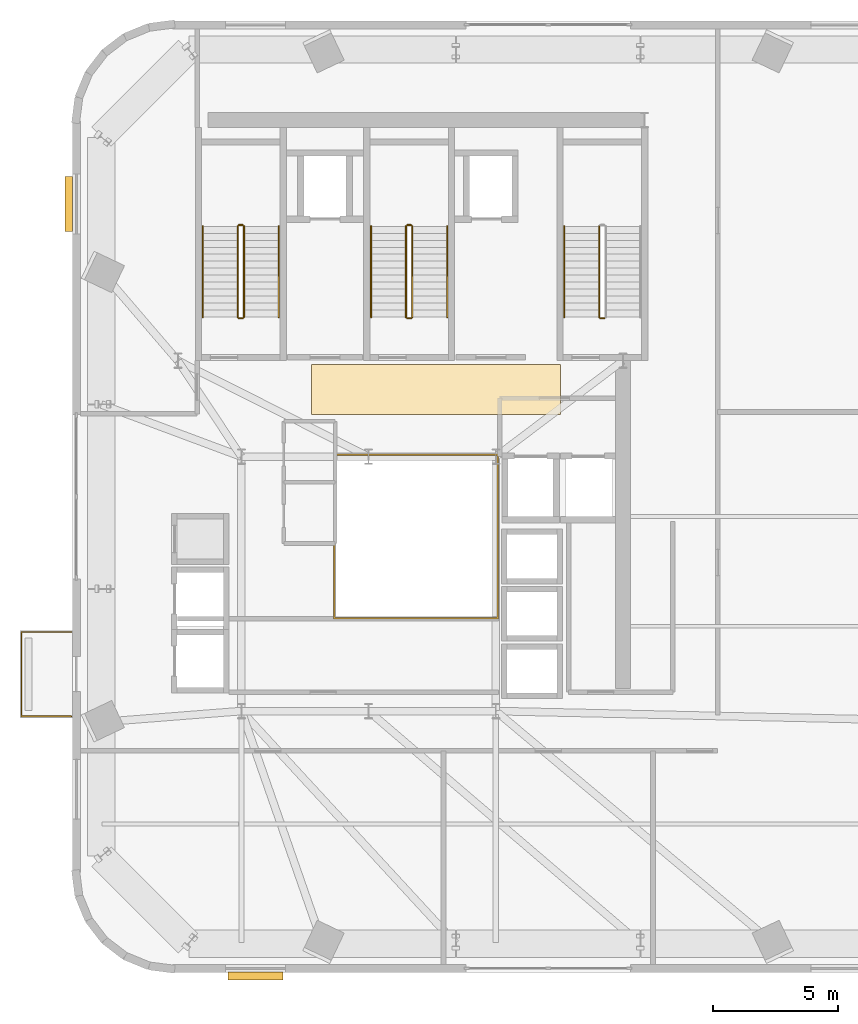
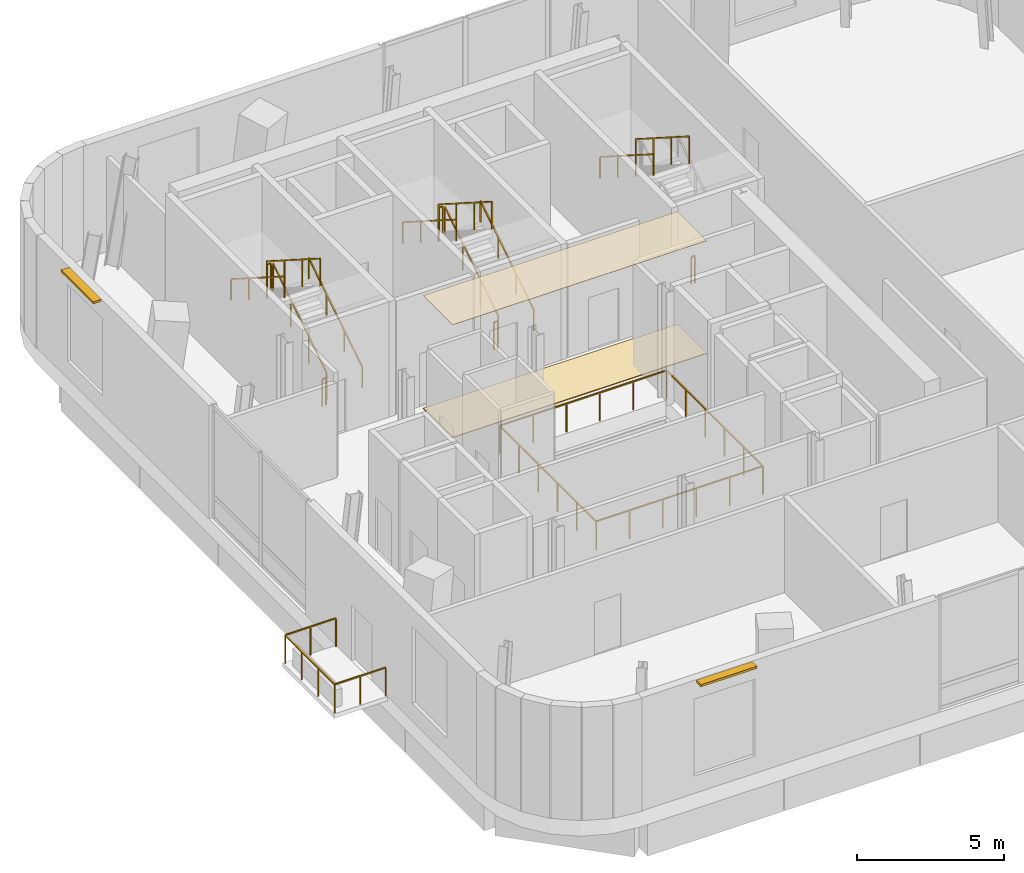
# One storey, part 9 of 11: 17 railings, 2 coverings, 2 shading devices.
"""IFC4 building model written with IfcOpenShell, lengths in metres."""

from ifc_helpers import new_model, si_unit, direction, frame, origin, origin_2d, place, context, subcontext, project, spatial, polyline, rectangle, outline, extrude, source, transform, mapped, material, layer, layer_set, type_object, element, save


model = new_model("IFC4")

# Units and contexts
model_context = context("Model", 3, precision=1e-05, world=origin(), true_north=direction((0.0, 1.0)))
body_context = subcontext(model_context, "Body", "Model", "MODEL_VIEW")
ifc_project = project(units=[si_unit("LENGTHUNIT", "METRE"), si_unit("AREAUNIT", "SQUARE_METRE"), si_unit("VOLUMEUNIT", "CUBIC_METRE"), si_unit("PLANEANGLEUNIT", "RADIAN"), si_unit("MASSUNIT", "GRAM", prefix="KILO")], contexts=[model_context])

# Site, building, storey
site_placement = place(None, origin())
site = spatial("IfcSite", under=ifc_project, at=site_placement, CompositionType="ELEMENT")
building_placement = place(site_placement, origin())
building = spatial("IfcBuilding", under=site, at=building_placement, Name="Vardaveli Station Tower", CompositionType="ELEMENT")
storey_placement = place(building_placement, frame((0.0, 0.0, 286.14990234375)))
storey = spatial("IfcBuildingStorey", under=building, at=storey_placement, Name="L73", CompositionType="ELEMENT", Elevation=286.14990234375)

# Coverings
ifc_material_1 = material(Name="Perforated acoustic mineral ceiling")
ifc_layer_1 = layer(ifc_material_1, 0.02001953125, Name="Perforated acoustic mineral ceiling")
ifc_layer_set_1 = layer_set([ifc_layer_1], Name="Perforated acoustic mineral ceiling")
covering_type_1 = type_object("IfcCoveringType", Name="COV-CEIL-AC20", PredefinedType="CEILING", material=ifc_layer_set_1)
covering_1_placement = place(storey_placement, frame((0.0, 0.0, 4.68505859375)))
element("IfcCovering", 1, at=covering_1_placement, inside=storey, type_object=covering_type_1, Name="CEIL-L73-1", PredefinedType="CEILING", context=body_context, shape_type="SweptSolid", body=[
    extrude(outline(polyline([(34.0, 28.5), (44.0, 28.5), (44.0, 30.5), (34.0, 30.5), (34.0, 28.5)])), origin(), (0.0, 0.0, 1.0), 0.02001953125),
])
ifc_material_2 = material(Name="Honed Caucasian basalt and travertine flooring", Category="masonry")
ifc_layer_2 = layer(ifc_material_2, 0.030029296875, Name="Honed Caucasian basalt and travertine flooring")
ifc_layer_set_2 = layer_set([ifc_layer_2], Name="Honed Caucasian basalt and travertine flooring")
covering_type_2 = type_object("IfcCoveringType", Name="COV-FLOOR-ST30", PredefinedType="FLOORING", material=ifc_layer_set_2)
covering_2_placement = place(storey_placement, origin())
element("IfcCovering", 2, at=covering_2_placement, inside=storey, type_object=covering_type_2, Name="FLR-L73-1", PredefinedType="FLOORING", context=body_context, shape_type="SweptSolid", body=[
    extrude(outline(polyline([(34.0, 28.5), (44.0, 28.5), (44.0, 30.5), (34.0, 30.5), (34.0, 28.5)])), origin(), (0.0, 0.0, 1.0), 0.030029296875),
])

# Shading devices
ifc_material_3 = material(Name="Anodised champagne aluminium sunshade", Category="aluminium")
ifc_layer_3 = layer(ifc_material_3, 0.090087890625, Name="Anodised champagne aluminium sunshade")
ifc_layer_set_3 = layer_set([ifc_layer_3], Name="Anodised champagne aluminium sunshade")
shading_device_type = type_object("IfcShadingDeviceType", Name="SHD-SUNSHADE", PredefinedType="USERDEFINED", material=ifc_layer_set_3)
shared_shape_1 = source(origin(), body_context, "Body", "SweptSolid", [
    extrude(rectangle(XDim=2.199951171875, YDim=0.320068359375, at=origin_2d()), origin(), (0.0, 0.0, 1.0), 0.090087890625),
])
for number, where, z_axis, x_axis, name in (
    (3, (31.7666015625, 5.97509765625, 4.580078125), (0.0, 0.0, 1.0), (1.0, 0.0, 0.0), "SHD-SS-L73-S"),
    (4, (24.27490234375, 36.933349609375, 4.580078125), (0.0, 0.0, 1.0), (0.0, 1.0, 0.0), "SHD-SS-L73-W"),
):
    element("IfcShadingDevice", number, at=place(storey_placement, frame(where, z_axis=z_axis, x_axis=x_axis)), inside=storey, type_object=shading_device_type, Name=name, ObjectType="SUNSHADE", PredefinedType="USERDEFINED", context=body_context, shape_type="MappedRepresentation", body=[
        mapped(shared_shape_1, transform((0.0, 0.0, 0.0), scale=1.0)),
    ])

# Railings
ifc_material_4 = material(Name="Laminated glass and stainless steel balustrade", Category="steel")
railing_type_1 = type_object("IfcRailingType", Name="RL-BAL-1200", PredefinedType="BALUSTRADE", material=ifc_material_4)
shared_shape_2 = source(origin(), body_context, "Body", "SweptSolid", [
    extrude(rectangle(XDim=0.048095703125, YDim=0.048095703125, at=origin_2d()), frame((0.0, 0.0, 1.17578125), z_axis=(-1.0, 0.0, 0.0), x_axis=(0.0, -1.0, 0.0)), (0.0, 0.0, 1.0), 2.0),
    extrude(rectangle(XDim=0.048095703125, YDim=0.048095703125, at=origin_2d()), frame((-2.0, 0.0, 1.17578125), z_axis=(0.0, 1.0, 0.0), x_axis=(-1.0, 0.0, 0.0)), (0.0, 0.0, 1.0), 3.380126953125),
    extrude(rectangle(XDim=0.048095703125, YDim=0.048095703125, at=origin_2d()), frame((-2.0, 3.380126953125, 1.17578125), z_axis=(1.0, 0.0, 0.0), x_axis=(0.0, 1.0, 0.0)), (0.0, 0.0, 1.0), 2.0),
    extrude(rectangle(XDim=0.0419921875, YDim=0.0419921875, at=origin_2d()), origin(), (0.0, 0.0, 1.0), 1.15185546875),
    extrude(rectangle(XDim=0.0419921875, YDim=0.0419921875, at=origin_2d()), frame((-1.0, 0.0, 0.0)), (0.0, 0.0, 1.0), 1.15185546875),
    extrude(rectangle(XDim=0.0419921875, YDim=0.0419921875, at=origin_2d()), frame((-2.0, 0.0, 0.0)), (0.0, 0.0, 1.0), 1.15185546875),
    extrude(rectangle(XDim=0.0419921875, YDim=0.0419921875, at=origin_2d()), frame((-2.0, 1.126708984375, 0.0)), (0.0, 0.0, 1.0), 1.15185546875),
    extrude(rectangle(XDim=0.0419921875, YDim=0.0419921875, at=origin_2d()), frame((-2.0, 2.25341796875, 0.0)), (0.0, 0.0, 1.0), 1.15185546875),
    extrude(rectangle(XDim=0.0419921875, YDim=0.0419921875, at=origin_2d()), frame((-2.0, 3.380126953125, 0.0)), (0.0, 0.0, 1.0), 1.15185546875),
    extrude(rectangle(XDim=0.0419921875, YDim=0.0419921875, at=origin_2d()), frame((-1.0, 3.380126953125, 0.0)), (0.0, 0.0, 1.0), 1.15185546875),
    extrude(rectangle(XDim=0.0419921875, YDim=0.0419921875, at=origin_2d()), frame((0.0, 3.380126953125, 0.0)), (0.0, 0.0, 1.0), 1.15185546875),
])
railing_1_placement = place(storey_placement, frame((24.3798828125, 16.389892578125, 0.0)))
element("IfcRailing", 5, at=railing_1_placement, inside=storey, type_object=railing_type_1, Name="RL-LOG-L73-01", PredefinedType="BALUSTRADE", context=body_context, shape_type="MappedRepresentation", body=[
    mapped(shared_shape_2, transform((0.0, 0.0, 0.0), scale=1.0)),
])
ifc_material_5 = material(Name="Brushed AISI 316 stainless steel", Category="steel")
railing_type_2 = type_object("IfcRailingType", Name="RL-GUARD-1150", PredefinedType="GUARDRAIL", material=ifc_material_5)
shared_shape_3 = source(origin(), body_context, "Body", "SweptSolid", [
    extrude(rectangle(XDim=0.048095703125, YDim=0.048095703125, at=origin_2d()), frame((0.0, 0.0, 1.1259765625), z_axis=(-1.0, 0.0, 0.0), x_axis=(0.0, -1.0, 0.0)), (0.0, 0.0, 1.0), 0.14990234375),
    extrude(rectangle(XDim=0.0419921875, YDim=0.0419921875, at=origin_2d()), origin(), (0.0, 0.0, 1.0), 1.101806640625),
    extrude(rectangle(XDim=0.0419921875, YDim=0.0419921875, at=origin_2d()), frame((-0.14990234375, 0.0, 0.0)), (0.0, 0.0, 1.0), 1.101806640625),
])
for number, where, name in (
    (6, (31.25, 36.090087890625, 2.5), "L73 ST-1 stair guard 2"),
    (7, (31.25, 32.35009765625, 0.0), "L73 ST-1 stair guard 4"),
    (8, (38.0, 36.090087890625, 2.5), "L73 ST-2 stair guard 2"),
    (9, (38.0, 32.35009765625, 0.0), "L73 ST-2 stair guard 4"),
    (10, (45.75, 32.35009765625, 0.0), "L73 ST-3 stair guard 4"),
):
    element("IfcRailing", number, at=place(storey_placement, frame(where)), inside=storey, type_object=railing_type_2, Name=name, PredefinedType="GUARDRAIL", context=body_context, shape_type="MappedRepresentation", body=[
        mapped(shared_shape_3, transform((0.0, 0.0, 0.0), scale=1.0)),
    ])
shared_shape_4 = source(origin(), body_context, "Body", "SweptSolid", [
    extrude(rectangle(XDim=0.048095703125, YDim=0.048095703125, at=origin_2d()), frame((0.0, 0.0, 1.1259765625), z_axis=(0.0, 0.843153495434, 0.537672933239), x_axis=(-1.0, 0.0, 0.0)), (0.0, 0.0, 1.0), 4.3173828125),
    extrude(rectangle(XDim=0.0419921875, YDim=0.0419921875, at=origin_2d()), origin(), (0.0, 0.0, 1.0), 1.101806640625),
    extrude(rectangle(XDim=0.0419921875, YDim=0.0419921875, at=origin_2d()), frame((0.0, 1.21337890625, 0.773681640625)), (0.0, 0.0, 1.0), 1.101806640625),
    extrude(rectangle(XDim=0.0419921875, YDim=0.0419921875, at=origin_2d()), frame((0.0, 2.4267578125, 1.547607421875)), (0.0, 0.0, 1.0), 1.101806640625),
    extrude(rectangle(XDim=0.0419921875, YDim=0.0419921875, at=origin_2d()), frame((0.0, 3.64013671875, 2.3212890625)), (0.0, 0.0, 1.0), 1.101806640625),
])
for number, where, name in (
    (11, (31.300048828125, 32.39990234375, 0.1787109375), "L73 ST-1 stair guard 1"),
    (12, (38.050048828125, 32.39990234375, 0.1787109375), "L73 ST-2 stair guard 1"),
):
    element("IfcRailing", number, at=place(storey_placement, frame(where)), inside=storey, type_object=railing_type_2, Name=name, PredefinedType="GUARDRAIL", context=body_context, shape_type="MappedRepresentation", body=[
        mapped(shared_shape_4, transform((0.0, 0.0, 0.0), scale=1.0)),
    ])
shared_shape_5 = source(origin(), body_context, "Body", "SweptSolid", [
    extrude(rectangle(XDim=0.048095703125, YDim=0.048095703125, at=origin_2d()), frame((0.0, 0.0, 1.1259765625), z_axis=(0.0, -0.843153495434, 0.537672933239), x_axis=(1.0, 0.0, 0.0)), (0.0, 0.0, 1.0), 4.3173828125),
    extrude(rectangle(XDim=0.0419921875, YDim=0.0419921875, at=origin_2d()), origin(), (0.0, 0.0, 1.0), 1.101806640625),
    extrude(rectangle(XDim=0.0419921875, YDim=0.0419921875, at=origin_2d()), frame((0.0, -1.21337890625, 0.773681640625)), (0.0, 0.0, 1.0), 1.101806640625),
    extrude(rectangle(XDim=0.0419921875, YDim=0.0419921875, at=origin_2d()), frame((0.0, -2.4267578125, 1.547607421875)), (0.0, 0.0, 1.0), 1.101806640625),
    extrude(rectangle(XDim=0.0419921875, YDim=0.0419921875, at=origin_2d()), frame((0.0, -3.64013671875, 2.3212890625)), (0.0, 0.0, 1.0), 1.101806640625),
])
for number, where, name in (
    (13, (31.050048828125, 36.0400390625, 2.6787109375), "L73 ST-1 stair guard 3"),
    (14, (37.800048828125, 36.0400390625, 2.6787109375), "L73 ST-2 stair guard 3"),
    (15, (45.550048828125, 36.0400390625, 2.6787109375), "L73 ST-3 stair guard 3"),
):
    element("IfcRailing", number, at=place(storey_placement, frame(where)), inside=storey, type_object=railing_type_2, Name=name, PredefinedType="GUARDRAIL", context=body_context, shape_type="MappedRepresentation", body=[
        mapped(shared_shape_5, transform((0.0, 0.0, 0.0), scale=1.0)),
    ])
railing_type_3 = type_object("IfcRailingType", Name="RL-HAND-900", PredefinedType="HANDRAIL", material=ifc_material_5)
shared_shape_6 = source(origin(), body_context, "Body", "SweptSolid", [
    extrude(rectangle(XDim=0.048095703125, YDim=0.048095703125, at=origin_2d()), frame((0.0, 0.0, 0.8759765625), z_axis=(0.0, 0.843153495434, 0.537672933239), x_axis=(-1.0, 0.0, 0.0)), (0.0, 0.0, 1.0), 4.3173828125),
    extrude(rectangle(XDim=0.0419921875, YDim=0.0419921875, at=origin_2d()), origin(), (0.0, 0.0, 1.0), 0.851806640625),
    extrude(rectangle(XDim=0.0419921875, YDim=0.0419921875, at=origin_2d()), frame((0.0, 1.21337890625, 0.773681640625)), (0.0, 0.0, 1.0), 0.851806640625),
    extrude(rectangle(XDim=0.0419921875, YDim=0.0419921875, at=origin_2d()), frame((0.0, 2.4267578125, 1.547607421875)), (0.0, 0.0, 1.0), 0.851806640625),
    extrude(rectangle(XDim=0.0419921875, YDim=0.0419921875, at=origin_2d()), frame((0.0, 3.64013671875, 2.3212890625)), (0.0, 0.0, 1.0), 0.851806640625),
])
for number, where, name in (
    (16, (32.699951171875, 32.39990234375, 0.1787109375), "L73 ST-1 stair handrail 1"),
    (17, (39.449951171875, 32.39990234375, 0.1787109375), "L73 ST-2 stair handrail 1"),
):
    element("IfcRailing", number, at=place(storey_placement, frame(where)), inside=storey, type_object=railing_type_3, Name=name, PredefinedType="HANDRAIL", context=body_context, shape_type="MappedRepresentation", body=[
        mapped(shared_shape_6, transform((0.0, 0.0, 0.0), scale=1.0)),
    ])
shared_shape_7 = source(origin(), body_context, "Body", "SweptSolid", [
    extrude(rectangle(XDim=0.048095703125, YDim=0.048095703125, at=origin_2d()), frame((0.0, 0.0, 0.8759765625), z_axis=(0.0, -0.843153495434, 0.537672933239), x_axis=(1.0, 0.0, 0.0)), (0.0, 0.0, 1.0), 4.3173828125),
    extrude(rectangle(XDim=0.0419921875, YDim=0.0419921875, at=origin_2d()), origin(), (0.0, 0.0, 1.0), 0.851806640625),
    extrude(rectangle(XDim=0.0419921875, YDim=0.0419921875, at=origin_2d()), frame((0.0, -1.21337890625, 0.773681640625)), (0.0, 0.0, 1.0), 0.851806640625),
    extrude(rectangle(XDim=0.0419921875, YDim=0.0419921875, at=origin_2d()), frame((0.0, -2.4267578125, 1.547607421875)), (0.0, 0.0, 1.0), 0.851806640625),
    extrude(rectangle(XDim=0.0419921875, YDim=0.0419921875, at=origin_2d()), frame((0.0, -3.64013671875, 2.3212890625)), (0.0, 0.0, 1.0), 0.851806640625),
])
for number, where, name in (
    (18, (29.64990234375, 36.0400390625, 2.6787109375), "L73 ST-1 stair handrail 2"),
    (19, (36.39990234375, 36.0400390625, 2.6787109375), "L73 ST-2 stair handrail 2"),
    (20, (44.14990234375, 36.0400390625, 2.6787109375), "L73 ST-3 stair handrail 2"),
):
    element("IfcRailing", number, at=place(storey_placement, frame(where)), inside=storey, type_object=railing_type_3, Name=name, PredefinedType="HANDRAIL", context=body_context, shape_type="MappedRepresentation", body=[
        mapped(shared_shape_7, transform((0.0, 0.0, 0.0), scale=1.0)),
    ])
shared_shape_8 = source(origin(), body_context, "Body", "SweptSolid", [
    extrude(rectangle(XDim=0.048095703125, YDim=0.048095703125, at=origin_2d()), frame((0.0, 0.0, 1.17578125), z_axis=(1.0, 0.0, 0.0), x_axis=(0.0, 1.0, 0.0)), (0.0, 0.0, 1.0), 6.56005859375),
    extrude(rectangle(XDim=0.048095703125, YDim=0.048095703125, at=origin_2d()), frame((6.56005859375, 0.0, 1.17578125), z_axis=(0.0, 1.0, 0.0), x_axis=(-1.0, 0.0, 0.0)), (0.0, 0.0, 1.0), 6.559814453125),
    extrude(rectangle(XDim=0.048095703125, YDim=0.048095703125, at=origin_2d()), frame((6.56005859375, 6.559814453125, 1.17578125), z_axis=(-1.0, 0.0, 0.0), x_axis=(0.0, -1.0, 0.0)), (0.0, 0.0, 1.0), 6.56005859375),
    extrude(rectangle(XDim=0.048095703125, YDim=0.048095703125, at=origin_2d()), frame((0.0, 6.559814453125, 1.17578125), z_axis=(0.0, -1.0, 0.0), x_axis=(1.0, 0.0, 0.0)), (0.0, 0.0, 1.0), 6.559814453125),
    extrude(rectangle(XDim=0.0419921875, YDim=0.0419921875, at=origin_2d()), origin(), (0.0, 0.0, 1.0), 1.15185546875),
    extrude(rectangle(XDim=0.0419921875, YDim=0.0419921875, at=origin_2d()), frame((1.31201171875, 0.0, 0.0)), (0.0, 0.0, 1.0), 1.15185546875),
    extrude(rectangle(XDim=0.0419921875, YDim=0.0419921875, at=origin_2d()), frame((2.6240234375, 0.0, 0.0)), (0.0, 0.0, 1.0), 1.15185546875),
    extrude(rectangle(XDim=0.0419921875, YDim=0.0419921875, at=origin_2d()), frame((3.93603515625, 0.0, 0.0)), (0.0, 0.0, 1.0), 1.15185546875),
    extrude(rectangle(XDim=0.0419921875, YDim=0.0419921875, at=origin_2d()), frame((5.248046875, 0.0, 0.0)), (0.0, 0.0, 1.0), 1.15185546875),
    extrude(rectangle(XDim=0.0419921875, YDim=0.0419921875, at=origin_2d()), frame((6.56005859375, 0.0, 0.0)), (0.0, 0.0, 1.0), 1.15185546875),
    extrude(rectangle(XDim=0.0419921875, YDim=0.0419921875, at=origin_2d()), frame((6.56005859375, 1.31201171875, 0.0)), (0.0, 0.0, 1.0), 1.15185546875),
    extrude(rectangle(XDim=0.0419921875, YDim=0.0419921875, at=origin_2d()), frame((6.56005859375, 2.6240234375, 0.0)), (0.0, 0.0, 1.0), 1.15185546875),
    extrude(rectangle(XDim=0.0419921875, YDim=0.0419921875, at=origin_2d()), frame((6.56005859375, 3.935791015625, 0.0)), (0.0, 0.0, 1.0), 1.15185546875),
    extrude(rectangle(XDim=0.0419921875, YDim=0.0419921875, at=origin_2d()), frame((6.56005859375, 5.247802734375, 0.0)), (0.0, 0.0, 1.0), 1.15185546875),
    extrude(rectangle(XDim=0.0419921875, YDim=0.0419921875, at=origin_2d()), frame((6.56005859375, 6.559814453125, 0.0)), (0.0, 0.0, 1.0), 1.15185546875),
    extrude(rectangle(XDim=0.0419921875, YDim=0.0419921875, at=origin_2d()), frame((5.248046875, 6.559814453125, 0.0)), (0.0, 0.0, 1.0), 1.15185546875),
    extrude(rectangle(XDim=0.0419921875, YDim=0.0419921875, at=origin_2d()), frame((3.93603515625, 6.559814453125, 0.0)), (0.0, 0.0, 1.0), 1.15185546875),
    extrude(rectangle(XDim=0.0419921875, YDim=0.0419921875, at=origin_2d()), frame((2.6240234375, 6.559814453125, 0.0)), (0.0, 0.0, 1.0), 1.15185546875),
    extrude(rectangle(XDim=0.0419921875, YDim=0.0419921875, at=origin_2d()), frame((1.31201171875, 6.559814453125, 0.0)), (0.0, 0.0, 1.0), 1.15185546875),
    extrude(rectangle(XDim=0.0419921875, YDim=0.0419921875, at=origin_2d()), frame((0.0, 6.559814453125, 0.0)), (0.0, 0.0, 1.0), 1.15185546875),
    extrude(rectangle(XDim=0.0419921875, YDim=0.0419921875, at=origin_2d()), frame((0.0, 5.247802734375, 0.0)), (0.0, 0.0, 1.0), 1.15185546875),
    extrude(rectangle(XDim=0.0419921875, YDim=0.0419921875, at=origin_2d()), frame((0.0, 3.935791015625, 0.0)), (0.0, 0.0, 1.0), 1.15185546875),
    extrude(rectangle(XDim=0.0419921875, YDim=0.0419921875, at=origin_2d()), frame((0.0, 2.6240234375, 0.0)), (0.0, 0.0, 1.0), 1.15185546875),
    extrude(rectangle(XDim=0.0419921875, YDim=0.0419921875, at=origin_2d()), frame((0.0, 1.31201171875, 0.0)), (0.0, 0.0, 1.0), 1.15185546875),
])
railing_2_placement = place(storey_placement, frame((34.919921875, 20.320068359375, 0.0)))
element("IfcRailing", 21, at=railing_2_placement, inside=storey, type_object=railing_type_1, Name="RL-ATR-L73", PredefinedType="BALUSTRADE", context=body_context, shape_type="MappedRepresentation", body=[
    mapped(shared_shape_8, transform((0.0, 0.0, 0.0), scale=1.0)),
])

save(model, "model.ifc")
